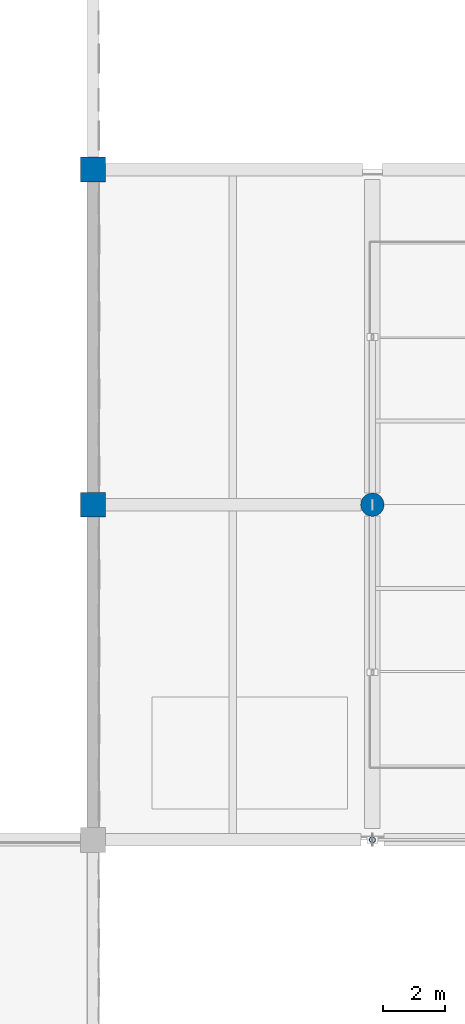
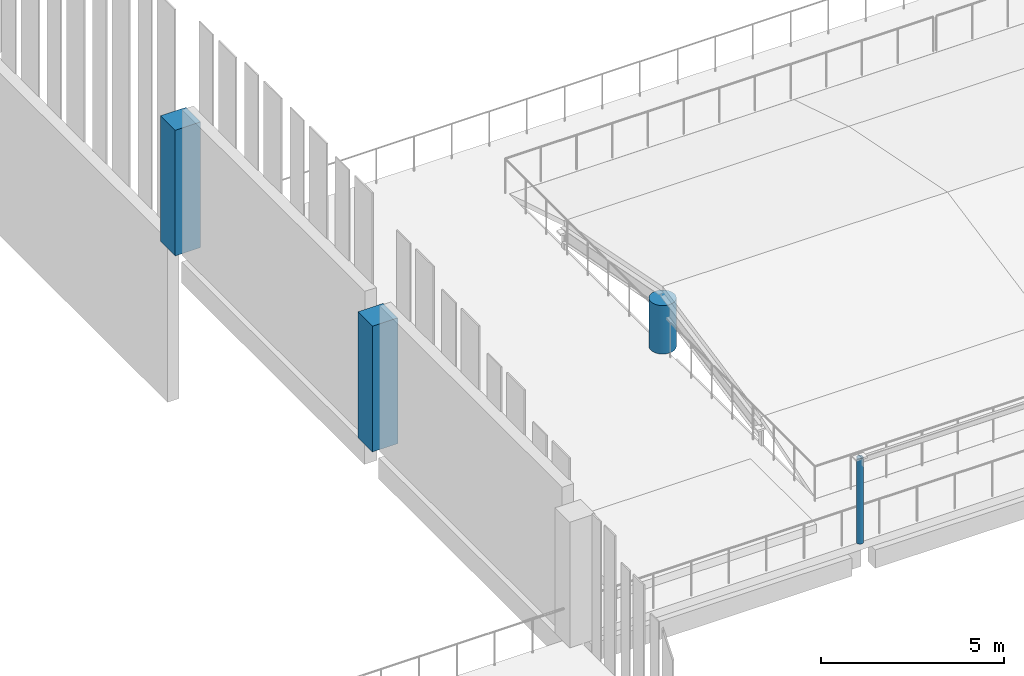
# One storey, part 2 of 158: 4 columns.
"""IFC4 building model written with IfcOpenShell, lengths in metres."""

from ifc_helpers import new_model, si_unit, direction, frame, origin, origin_2d, place, context, subcontext, project, spatial, rectangle, circle, hollow_circle, extrude, material, material_profile, profile_set, type_object, element, save


model = new_model("IFC4")

# Units and contexts
model_context = context("Model", 3, precision=1e-05, world=origin(), true_north=direction((0.0, 1.0)))
body_context = subcontext(model_context, "Body", "Model", "MODEL_VIEW")
ifc_project = project(units=[si_unit("LENGTHUNIT", "METRE"), si_unit("AREAUNIT", "SQUARE_METRE"), si_unit("VOLUMEUNIT", "CUBIC_METRE"), si_unit("PLANEANGLEUNIT", "RADIAN"), si_unit("MASSUNIT", "GRAM", prefix="KILO")], contexts=[model_context])

# Site, building, storey
site_placement = place(None, origin())
site = spatial("IfcSite", under=ifc_project, at=site_placement, CompositionType="ELEMENT")
building_placement = place(site_placement, origin())
building = spatial("IfcBuilding", under=site, at=building_placement, Name="Lusvemor Sports Hall", CompositionType="ELEMENT")
storey_placement = place(building_placement, frame((0.0, 0.0, 10.800048828125)))
storey = spatial("IfcBuildingStorey", under=building, at=storey_placement, Name="L02", CompositionType="ELEMENT", Elevation=10.800048828125)

# Columns
ifc_material_1 = material(Name="Concrete C40/50", Category="concrete")
ifc_material_profile_1 = material_profile(ifc_material_1, circle(Radius=0.375, at=origin_2d()), Name="RCCIRC750")
ifc_profile_set_1 = profile_set([ifc_material_profile_1], Name="Concrete C40/50")
column_type_1 = type_object("IfcColumnType", Name="COL_FOYER_R", PredefinedType="COLUMN", material=ifc_profile_set_1)
column_1_placement = place(storey_placement, frame((84.60009765625, 18.0, 0.0), z_axis=(0.0, 0.0, 1.0), x_axis=(1.0, 0.0, 0.0)))
element("IfcColumn", 1, at=column_1_placement, inside=storey, type_object=column_type_1, Name="Column 9/C Lantern Ridge Pier (L02)", PredefinedType="COLUMN", context=body_context, shape_type="SweptSolid", body=[
    extrude(circle(Radius=0.375, at=origin_2d()), origin(), (0.0, 0.0, 1.0), 1.619873046875),
])
ifc_material_2 = material(Name="Concrete C40/50", Category="concrete")
ifc_material_profile_2 = material_profile(ifc_material_2, rectangle(XDim=0.800048828125, YDim=0.800048828125, at=origin_2d()), Name="RC800x800")
ifc_profile_set_2 = profile_set([ifc_material_profile_2], Name="Concrete C40/50")
column_type_2 = type_object("IfcColumnType", Name="COL_HALL_W", PredefinedType="COLUMN", material=ifc_profile_set_2)
for number, where, z_axis, x_axis, name in (
    (2, (75.60009765625, 18.0, 0.0), (0.0, 0.0, 1.0), (1.0, 0.0, 0.0), "Column 8/C (L02)"),
    (3, (75.60009765625, 28.800048828125, 0.0), (0.0, 0.0, 1.0), (1.0, 0.0, 0.0), "Column 8/D (L02)"),
):
    element("IfcColumn", number, at=place(storey_placement, frame(where, z_axis=z_axis, x_axis=x_axis)), inside=storey, type_object=column_type_2, Name=name, PredefinedType="COLUMN", context=body_context, shape_type="SweptSolid", body=[
        extrude(rectangle(XDim=0.800048828125, YDim=0.800048828125, at=origin_2d()), origin(), (0.0, 0.0, 1.0), 4.199951171875),
    ])
ifc_material_3 = material(Name="Steel S355", Category="steel")
ifc_material_profile_3 = material_profile(ifc_material_3, hollow_circle(Radius=0.096923828125, WallThickness=0.010009765625, at=origin_2d()), Name="CHS193.7x10.0")
ifc_profile_set_3 = profile_set([ifc_material_profile_3], Name="Steel S355")
column_type_3 = type_object("IfcColumnType", Name="COL_STAIR_POST", PredefinedType="COLUMN", material=ifc_profile_set_3)
column_2_placement = place(storey_placement, frame((84.60009765625, 7.199951171875, 0.0), z_axis=(0.0, 0.0, 1.0), x_axis=(1.0, 0.0, 0.0)))
element("IfcColumn", 4, at=column_2_placement, inside=storey, type_object=column_type_3, Name="Garden Pergola Column PERG-L02-E-1A", PredefinedType="COLUMN", context=body_context, shape_type="SweptSolid", body=[
    extrude(hollow_circle(Radius=0.096923828125, WallThickness=0.010009765625, at=origin_2d()), origin(), (0.0, 0.0, 1.0), 2.849853515625),
])

save(model, "model.ifc")
